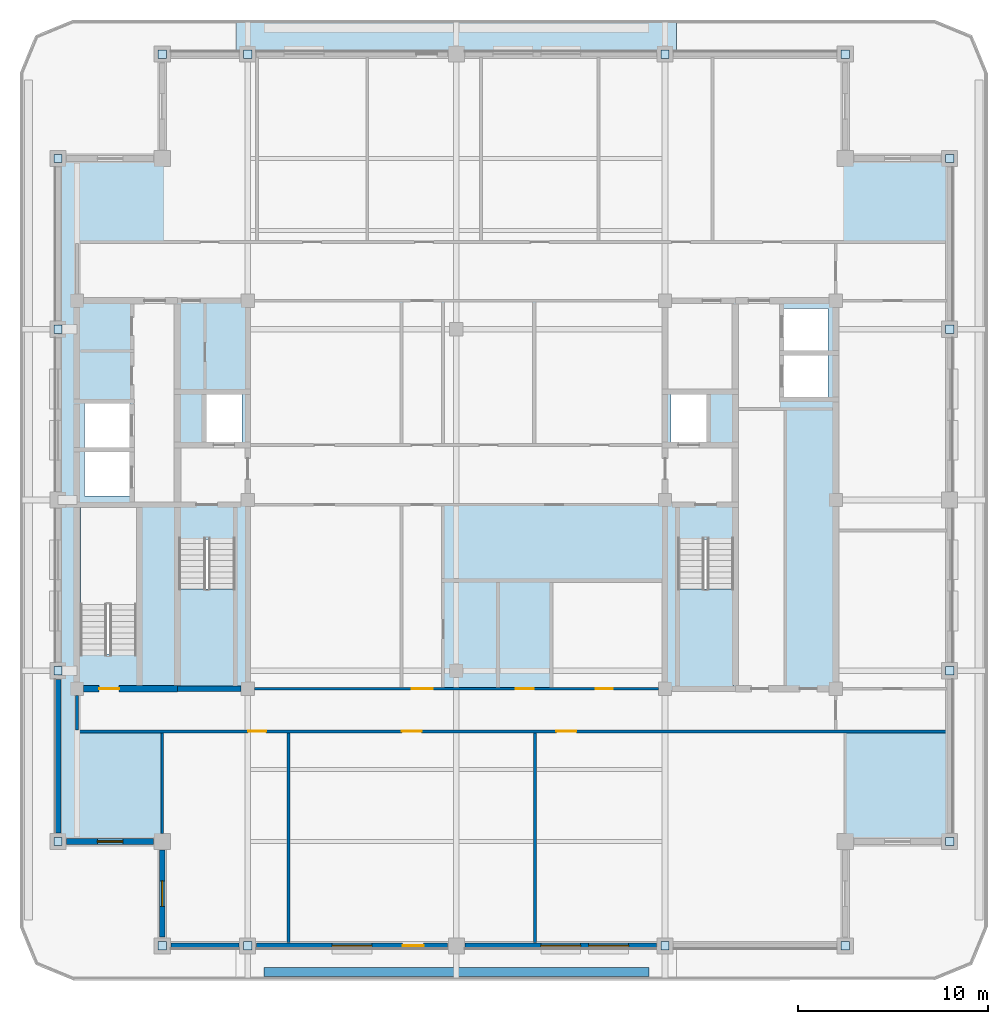
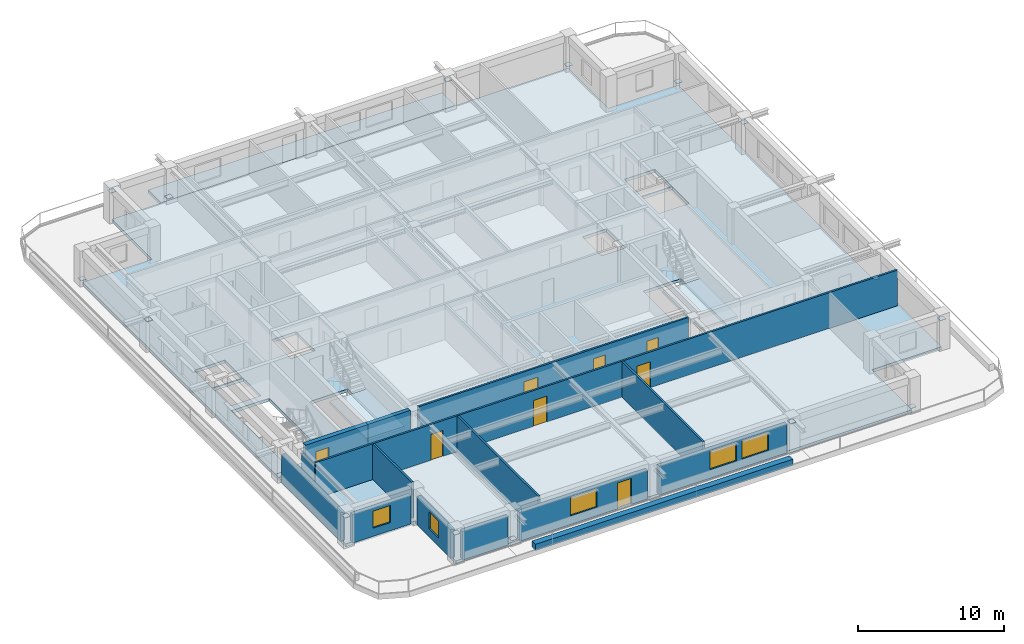
# One storey, part 2 of 11: 16 plates, 15 walls, 8 doors, 5 windows, 4 slabs, 13 openings, 2 elements without a shape of their own.
"""IFC4 building model written with IfcOpenShell, lengths in metres."""

from ifc_helpers import new_model, si_unit, direction, frame, frame_2d, origin, origin_2d, place, context, subcontext, project, spatial, polyline, rectangle, outline, extrude, material, layer, layer_set, type_object, element, fill, aggregate, save


model = new_model("IFC4")

# Units and contexts
model_context = context("Model", 3, precision=1e-05, world=origin(), true_north=direction((0.0, 1.0)))
body_context = subcontext(model_context, "Body", "Model", "MODEL_VIEW")
ifc_project = project(units=[si_unit("LENGTHUNIT", "METRE"), si_unit("AREAUNIT", "SQUARE_METRE"), si_unit("VOLUMEUNIT", "CUBIC_METRE"), si_unit("PLANEANGLEUNIT", "RADIAN"), si_unit("MASSUNIT", "GRAM", prefix="KILO")], contexts=[model_context])

# Site, building, storey
site_placement = place(None, origin())
site = spatial("IfcSite", under=ifc_project, at=site_placement, CompositionType="ELEMENT")
building_placement = place(site_placement, origin())
building = spatial("IfcBuilding", under=site, at=building_placement, Name="Zulmaris Gate Convention Tower", CompositionType="ELEMENT")
storey_placement = place(building_placement, frame((0.0, 0.0, 239.739990234375)))
storey = spatial("IfcBuildingStorey", under=building, at=storey_placement, Name="L63", CompositionType="ELEMENT", Elevation=239.739990234375)

# Plates
ifc_material_1 = material(Name="Steel S460", Category="steel")
ifc_layer_1 = layer(ifc_material_1, 0.02490234375, Name="Steel S460")
ifc_layer_set_1 = layer_set([ifc_layer_1], Name="Steel S460")
plate_type = type_object("IfcPlateType", Name="NP-CAP-440", PredefinedType="USERDEFINED", material=ifc_layer_set_1)
for number, where, z_axis, x_axis, name in (
    (1, (-21.0, -9.0, 0.28759765625), (0.0, 0.0, 1.0), (1.0, 0.0, 0.0), "L63 Steel Node Plate PBR-L63-SW-W-CAP"),
    (2, (-21.0, -18.0, 2.34765625), (0.0, 0.0, 1.0), (1.0, 0.0, 0.0), "L63 Steel Node Plate PBR-L63-SW-W-CAPB"),
    (3, (-21.0, 18.0, 0.28759765625), (0.0, 0.0, 1.0), (1.0, 0.0, 0.0), "L63 Steel Node Plate PBR-L63-NW-W-CAP"),
    (4, (-21.0, 9.0, 2.34765625), (0.0, 0.0, 1.0), (1.0, 0.0, 0.0), "L63 Steel Node Plate PBR-L63-NW-W-CAPB"),
    (5, (26.0, -9.0, 0.28759765625), (0.0, 0.0, 1.0), (1.0, 0.0, 0.0), "L63 Steel Node Plate PBR-L63-SE-E-CAP"),
    (6, (26.0, -18.0, 2.34765625), (0.0, 0.0, 1.0), (1.0, 0.0, 0.0), "L63 Steel Node Plate PBR-L63-SE-E-CAPB"),
    (7, (26.0, 18.0, 0.28759765625), (0.0, 0.0, 1.0), (1.0, 0.0, 0.0), "L63 Steel Node Plate PBR-L63-NE-E-CAP"),
    (8, (26.0, 9.0, 2.34765625), (0.0, 0.0, 1.0), (1.0, 0.0, 0.0), "L63 Steel Node Plate PBR-L63-NE-E-CAPB"),
    (9, (-11.0, -23.5, 0.28759765625), (0.0, 0.0, 1.0), (1.0, 0.0, 0.0), "L63 Steel Node Plate PBR-L63-SW-S-CAP"),
    (10, (-15.5, -23.5, 2.34765625), (0.0, 0.0, 1.0), (1.0, 0.0, 0.0), "L63 Steel Node Plate PBR-L63-SW-S-CAPB"),
    (11, (20.5, -23.5, 0.28759765625), (0.0, 0.0, 1.0), (1.0, 0.0, 0.0), "L63 Steel Node Plate PBR-L63-SE-S-CAP"),
    (12, (11.0, -23.5, 2.34765625), (0.0, 0.0, 1.0), (1.0, 0.0, 0.0), "L63 Steel Node Plate PBR-L63-SE-S-CAPB"),
    (13, (-11.0, 23.5, 0.28759765625), (0.0, 0.0, 1.0), (1.0, 0.0, 0.0), "L63 Steel Node Plate PBR-L63-NW-N-CAP"),
    (14, (-15.5, 23.5, 2.34765625), (0.0, 0.0, 1.0), (1.0, 0.0, 0.0), "L63 Steel Node Plate PBR-L63-NW-N-CAPB"),
    (15, (20.5, 23.5, 0.28759765625), (0.0, 0.0, 1.0), (1.0, 0.0, 0.0), "L63 Steel Node Plate PBR-L63-NE-N-CAP"),
    (16, (11.0, 23.5, 2.34765625), (0.0, 0.0, 1.0), (1.0, 0.0, 0.0), "L63 Steel Node Plate PBR-L63-NE-N-CAPB"),
):
    element("IfcPlate", number, at=place(storey_placement, frame(where, z_axis=z_axis, x_axis=x_axis)), inside=storey, type_object=plate_type, Name=name, ObjectType="FLANGE PLATE", PredefinedType="USERDEFINED", context=body_context, shape_type="SweptSolid", body=[
        extrude(rectangle(XDim=0.43994140625, YDim=0.43994140625, at=origin_2d()), origin(), (0.0, 0.0, 1.0), 0.02490234375),
    ])

# Slabs
ifc_material_2 = material(Name="Precast concrete C50/60", Category="concrete")
ifc_layer_2 = layer(ifc_material_2, 0.239990234375, Name="Precast concrete C50/60")
ifc_layer_set_2 = layer_set([ifc_layer_2], Name="Precast concrete C50/60")
slab_type_1 = type_object("IfcSlabType", Name="SL-BAL-240", PredefinedType="FLOOR", material=ifc_layer_set_2)
slab_1_placement = place(storey_placement, frame((0.0, 0.0, -0.25)))
element("IfcSlab", 17, at=slab_1_placement, inside=storey, type_object=slab_type_1, Name="L63 North Tree-Balcony Planter Slab", PredefinedType="FLOOR", context=body_context, shape_type="SweptSolid", body=[
    extrude(outline(polyline([(11.597900390625, 25.300048828125), (11.597900390625, 23.5), (-11.597900390625, 23.5), (-11.597900390625, 25.300048828125), (11.597900390625, 25.300048828125)])), origin(), (0.0, 0.0, 1.0), 0.239990234375),
])
ifc_material_3 = material(Name="Concrete C50/60", Category="concrete")
ifc_layer_3 = layer(ifc_material_3, 0.25, Name="Concrete C50/60")
ifc_layer_set_3 = layer_set([ifc_layer_3], Name="Concrete C50/60")
slab_type_2 = type_object("IfcSlabType", Name="SL-FLR-250", PredefinedType="FLOOR", material=ifc_layer_set_3)
slab_2_placement = place(storey_placement, frame((0.0, 0.0, -0.25)))
element("IfcSlab", 18, at=slab_2_placement, inside=storey, type_object=slab_type_2, Name="L63 Shifted Notched-Square Structural Floor Slab", PredefinedType="FLOOR", context=body_context, shape_type="SweptSolid", body=[
    extrude(outline(polyline([(-15.5, -23.5), (20.5, -23.5), (20.5, -18.0), (26.0, -18.0), (26.0, 18.0), (20.5, 18.0), (20.5, 23.5), (-15.5, 23.5), (-15.5, 18.0), (-21.0, 18.0), (-21.0, -18.0), (-15.5, -18.0), (-15.5, -23.5)]), holes=[polyline([(-14.6201171875, -2.080078125), (-14.6201171875, -9.85009765625), (-11.659912109375, -9.85009765625), (-11.659912109375, -2.080078125), (-14.6201171875, -2.080078125)]), polyline([(11.659912109375, -2.080078125), (11.659912109375, -9.85009765625), (14.6201171875, -9.85009765625), (14.6201171875, -2.080078125), (11.659912109375, -2.080078125)]), polyline([(-16.860107421875, -8.1201171875), (-16.860107421875, -0.35009765625), (-19.820068359375, -0.35009765625), (-19.820068359375, -8.1201171875), (-16.860107421875, -8.1201171875)]), polyline([(-13.199951171875, 3.0), (-11.300048828125, 3.0), (-11.300048828125, 5.60009765625), (-13.199951171875, 5.60009765625), (-13.199951171875, 3.0)]), polyline([(11.300048828125, 3.0), (13.199951171875, 3.0), (13.199951171875, 5.60009765625), (11.300048828125, 5.60009765625), (11.300048828125, 3.0)]), polyline([(17.199951171875, 5.39990234375), (19.60009765625, 5.39990234375), (19.60009765625, 7.699951171875), (17.199951171875, 7.699951171875), (17.199951171875, 5.39990234375)]), polyline([(17.199951171875, 7.800048828125), (19.60009765625, 7.800048828125), (19.60009765625, 10.10009765625), (17.199951171875, 10.10009765625), (17.199951171875, 7.800048828125)]), polyline([(-19.60009765625, 0.199951171875), (-17.199951171875, 0.199951171875), (-17.199951171875, 2.60009765625), (-19.60009765625, 2.60009765625), (-19.60009765625, 0.199951171875)]), polyline([(-19.60009765625, 2.699951171875), (-17.199951171875, 2.699951171875), (-17.199951171875, 5.10009765625), (-19.60009765625, 5.10009765625), (-19.60009765625, 2.699951171875)])]), origin(), (0.0, 0.0, 1.0), 0.25),
])

# Stair, slab
ifc_material_4 = material(Name="Concrete C45/55", Category="concrete")
stair_type = type_object("IfcStairType", Name="ST-CORE-DOGLEG", PredefinedType="HALF_TURN_STAIR", material=ifc_material_4)
stair_1_placement = place(storey_placement, origin())
stair_1 = element("IfcStair", 19, at=stair_1_placement, inside=storey, type_object=stair_type, Name="L63 Core Exit Stair ST-1", PredefinedType="HALF_TURN_STAIR")
ifc_layer_4 = layer(ifc_material_4, 0.199951171875, Name="Concrete C45/55")
ifc_layer_set_4 = layer_set([ifc_layer_4], Name="Concrete C45/55")
slab_type_3 = type_object("IfcSlabType", Name="SL-LND-200", PredefinedType="LANDING", material=ifc_layer_set_4)
slab_3_placement = place(storey_placement, frame((0.0, 0.0, 1.4150390625)))
slab_3 = element("IfcSlab", 20, at=slab_3_placement, type_object=slab_type_3, Name="ST-1 landing 1", PredefinedType="LANDING", context=body_context, shape_type="SweptSolid", body=[
    extrude(outline(polyline([(-14.6201171875, -4.699951171875), (-14.6201171875, -9.85009765625), (-11.659912109375, -9.85009765625), (-11.659912109375, -4.699951171875), (-14.6201171875, -4.699951171875)])), origin(), (0.0, 0.0, 1.0), 0.199951171875),
])
aggregate(stair_1, [slab_3])

stair_2_placement = place(storey_placement, origin())
stair_2 = element("IfcStair", 21, at=stair_2_placement, inside=storey, type_object=stair_type, Name="L63 Core Exit Stair ST-2", PredefinedType="HALF_TURN_STAIR")
slab_4_placement = place(storey_placement, frame((0.0, 0.0, 1.4150390625)))
slab_4 = element("IfcSlab", 22, at=slab_4_placement, type_object=slab_type_3, Name="ST-2 landing 1", PredefinedType="LANDING", context=body_context, shape_type="SweptSolid", body=[
    extrude(outline(polyline([(11.659912109375, -4.699951171875), (11.659912109375, -9.85009765625), (14.6201171875, -9.85009765625), (14.6201171875, -4.699951171875), (11.659912109375, -4.699951171875)])), origin(), (0.0, 0.0, 1.0), 0.199951171875),
])
aggregate(stair_2, [slab_4])

# Wall
ifc_layer_5 = layer(ifc_material_3, 0.300048828125, Name="Concrete C50/60")
ifc_layer_set_5 = layer_set([ifc_layer_5], Name="Concrete C50/60")
wall_type_1 = type_object("IfcWallType", Name="CORE-300", PredefinedType="SHEAR", material=ifc_layer_set_5)
wall_1_placement = place(storey_placement, frame((-14.699951171875, -9.949951171875, 0.0), z_axis=(0.0, 0.0, 1.0), x_axis=(1.0, 0.0, 0.0)))
element("IfcWall", 23, at=wall_1_placement, inside=storey, type_object=wall_type_1, Name="WL-L63-002", PredefinedType="SHEAR", context=body_context, shape_type="SweptSolid", body=[
    extrude(rectangle(XDim=3.345947265625, YDim=0.300048828125, at=frame_2d((1.6728515625, 0.0))), origin(), (0.0, 0.0, 1.0), 2.97998046875),
])

# Wall, opening, door
ifc_material_5 = material(Name="Concrete C55/67", Category="concrete")
ifc_layer_6 = layer(ifc_material_5, 0.35009765625, Name="Concrete C55/67")
ifc_layer_set_6 = layer_set([ifc_layer_6], Name="Concrete C55/67")
wall_type_2 = type_object("IfcWallType", Name="CORE-350", PredefinedType="SHEAR", material=ifc_layer_set_6)
wall_2_placement = place(storey_placement, frame((-19.64599609375, -9.949951171875, 0.0), z_axis=(0.0, 0.0, 1.0), x_axis=(1.0, 0.0, 0.0)))
wall_2 = element("IfcWall", 24, at=wall_2_placement, inside=storey, type_object=wall_type_2, Name="WL-L63-001", PredefinedType="SHEAR", context=body_context, shape_type="SweptSolid", body=[
    extrude(rectangle(XDim=4.946044921875, YDim=0.35009765625, at=frame_2d((2.47314453125, 0.0))), origin(), (0.0, 0.0, 1.0), 2.97998046875),
])
opening_1_placement = place(wall_2_placement, frame((0.821044921875, 0.0, 0.0)))
opening_1 = element("IfcOpeningElement", 25, at=opening_1_placement, cuts=wall_2, Name="Opening D-09", PredefinedType="OPENING", context=body_context, shape_type="SweptSolid", body=[
    extrude(rectangle(XDim=1.050048828125, YDim=2.14990234375, at=frame_2d((0.52490234375, 1.074951171875))), frame((0.0, 0.18505859375, 0.0), z_axis=(0.0, -1.0, 0.0), x_axis=(1.0, 0.0, 0.0)), (0.0, 0.0, 1.0), 0.3701171875),
])
ifc_material_6 = material(Name="Fire-Rated Steel", Category="steel")
door_type_1 = type_object("IfcDoorType", Name="DR-1050-FD", OperationType="NOTDEFINED", PredefinedType="DOOR", material=ifc_material_6)
door_1_placement = place(opening_1_placement, origin())
door_1 = element("IfcDoor", 26, at=door_1_placement, inside=storey, type_object=door_type_1, Name="L63 Exit Stair ST-3 Door 10", OperationType="SINGLE_SWING_LEFT", OverallHeight=2.14990234375, OverallWidth=1.050048828125, PredefinedType="DOOR", context=body_context, shape_type="SweptSolid", body=[
    extrude(rectangle(XDim=1.050048828125, YDim=2.14990234375, at=frame_2d((0.52490234375, 1.074951171875))), frame((0.0, 0.02490234375, 0.0), z_axis=(0.0, -1.0, 0.0), x_axis=(1.0, 0.0, 0.0)), (0.0, 0.0, 1.0), 0.050048828125),
])
fill(opening_1, door_1)

# Wall, openings, doors
ifc_material_7 = material(Name="Gypsum Metal Stud Partition")
ifc_layer_7 = layer(ifc_material_7, 0.14990234375, Name="Gypsum Metal Stud Partition")
ifc_layer_set_7 = layer_set([ifc_layer_7], Name="Gypsum Metal Stud Partition")
wall_type_3 = type_object("IfcWallType", Name="PART-150", PredefinedType="PARTITIONING", material=ifc_layer_set_7)
wall_3_placement = place(storey_placement, frame((-20.074951171875, -12.199951171875, 0.0), z_axis=(0.0, 0.0, 1.0), x_axis=(1.0, 0.0, 0.0)))
wall_3 = element("IfcWall", 27, at=wall_3_placement, inside=storey, type_object=wall_type_3, Name="WL-L63-019", PredefinedType="PARTITIONING", context=body_context, shape_type="SweptSolid", body=[
    extrude(rectangle(XDim=45.909912109375, YDim=0.14990234375, at=frame_2d((22.955078125, 0.0))), origin(), (0.0, 0.0, 1.0), 2.97998046875),
])
opening_2_placement = place(wall_3_placement, frame((9.10009765625, 0.0, 0.0)))
opening_2 = element("IfcOpeningElement", 28, at=opening_2_placement, cuts=wall_3, Name="Opening D-11", PredefinedType="OPENING", context=body_context, shape_type="SweptSolid", body=[
    extrude(rectangle(XDim=0.949951171875, YDim=2.14990234375, at=frame_2d((0.47509765625, 1.074951171875))), frame((0.0, 0.0849609375, 0.0), z_axis=(0.0, -1.0, 0.0), x_axis=(1.0, 0.0, 0.0)), (0.0, 0.0, 1.0), 0.169921875),
])
opening_3_placement = place(wall_3_placement, frame((17.199951171875, 0.0, 0.0)))
opening_3 = element("IfcOpeningElement", 29, at=opening_3_placement, cuts=wall_3, Name="Opening D-09", PredefinedType="OPENING", context=body_context, shape_type="SweptSolid", body=[
    extrude(rectangle(XDim=1.050048828125, YDim=2.14990234375, at=frame_2d((0.52490234375, 1.074951171875))), frame((0.0, 0.0849609375, 0.0), z_axis=(0.0, -1.0, 0.0), x_axis=(1.0, 0.0, 0.0)), (0.0, 0.0, 1.0), 0.169921875),
])
opening_4_placement = place(wall_3_placement, frame((25.35009765625, 0.0, 0.0)))
opening_4 = element("IfcOpeningElement", 30, at=opening_4_placement, cuts=wall_3, Name="Opening D-09", PredefinedType="OPENING", context=body_context, shape_type="SweptSolid", body=[
    extrude(rectangle(XDim=1.050048828125, YDim=2.14990234375, at=frame_2d((0.52490234375, 1.074951171875))), frame((0.0, 0.0849609375, 0.0), z_axis=(0.0, -1.0, 0.0), x_axis=(1.0, 0.0, 0.0)), (0.0, 0.0, 1.0), 0.169921875),
])
door_2_placement = place(opening_3_placement, origin())
door_2 = element("IfcDoor", 31, at=door_2_placement, inside=storey, type_object=door_type_1, Name="L63 Advisory Suite Office Door 32", OperationType="SINGLE_SWING_LEFT", OverallHeight=2.14990234375, OverallWidth=1.050048828125, PredefinedType="DOOR", context=body_context, shape_type="SweptSolid", body=[
    extrude(rectangle(XDim=1.050048828125, YDim=2.14990234375, at=frame_2d((0.52490234375, 1.074951171875))), frame((0.0, 0.02490234375, 0.0), z_axis=(0.0, -1.0, 0.0), x_axis=(1.0, 0.0, 0.0)), (0.0, 0.0, 1.0), 0.050048828125),
])
fill(opening_3, door_2)
door_3_placement = place(opening_4_placement, origin())
door_3 = element("IfcDoor", 32, at=door_3_placement, inside=storey, type_object=door_type_1, Name="L63 Open Plan Workplace Door 33", OperationType="SINGLE_SWING_RIGHT", OverallHeight=2.14990234375, OverallWidth=1.050048828125, PredefinedType="DOOR", context=body_context, shape_type="SweptSolid", body=[
    extrude(rectangle(XDim=1.050048828125, YDim=2.14990234375, at=frame_2d((0.52490234375, 1.074951171875))), frame((0.0, 0.02490234375, 0.0), z_axis=(0.0, -1.0, 0.0), x_axis=(1.0, 0.0, 0.0)), (0.0, 0.0, 1.0), 0.050048828125),
])
fill(opening_4, door_3)
ifc_material_8 = material(Name="Fire-Rated Timber", Category="wood")
door_type_2 = type_object("IfcDoorType", Name="DR-950-FD", OperationType="NOTDEFINED", PredefinedType="DOOR", material=ifc_material_8)
door_4_placement = place(opening_2_placement, origin())
door_4 = element("IfcDoor", 33, at=door_4_placement, inside=storey, type_object=door_type_2, Name="L63 Partner Corner Office Door 31", OperationType="SINGLE_SWING_RIGHT", OverallHeight=2.14990234375, OverallWidth=0.949951171875, PredefinedType="DOOR", context=body_context, shape_type="SweptSolid", body=[
    extrude(rectangle(XDim=0.949951171875, YDim=2.14990234375, at=frame_2d((0.47509765625, 1.074951171875))), frame((0.0, 0.02490234375, 0.0), z_axis=(0.0, -1.0, 0.0), x_axis=(1.0, 0.0, 0.0)), (0.0, 0.0, 1.0), 0.050048828125),
])
fill(opening_2, door_4)

wall_4_placement = place(storey_placement, frame((-10.64404296875, -9.949951171875, 0.0), z_axis=(0.0, 0.0, 1.0), x_axis=(1.0, 0.0, 0.0)))
wall_4 = element("IfcWall", 34, at=wall_4_placement, inside=storey, type_object=wall_type_3, Name="WL-L63-020", PredefinedType="PARTITIONING", context=body_context, shape_type="SweptSolid", body=[
    extrude(rectangle(XDim=21.2880859375, YDim=0.14990234375, at=frame_2d((10.64404296875, 0.0))), origin(), (0.0, 0.0, 1.0), 2.97998046875),
])
opening_5_placement = place(wall_4_placement, frame((8.2939453125, 0.0, 0.0)))
opening_5 = element("IfcOpeningElement", 35, at=opening_5_placement, cuts=wall_4, Name="Opening D-08", PredefinedType="OPENING", context=body_context, shape_type="SweptSolid", body=[
    extrude(rectangle(XDim=1.10009765625, YDim=2.14990234375, at=frame_2d((0.550048828125, 1.074951171875))), frame((0.0, 0.0849609375, 0.0), z_axis=(0.0, -1.0, 0.0), x_axis=(1.0, 0.0, 0.0)), (0.0, 0.0, 1.0), 0.169921875),
])
opening_6_placement = place(wall_4_placement, frame((13.76904296875, 0.0, 0.0)))
opening_6 = element("IfcOpeningElement", 36, at=opening_6_placement, cuts=wall_4, Name="Opening D-11", PredefinedType="OPENING", context=body_context, shape_type="SweptSolid", body=[
    extrude(rectangle(XDim=0.949951171875, YDim=2.14990234375, at=frame_2d((0.47509765625, 1.074951171875))), frame((0.0, 0.0849609375, 0.0), z_axis=(0.0, -1.0, 0.0), x_axis=(1.0, 0.0, 0.0)), (0.0, 0.0, 1.0), 0.169921875),
])
opening_7_placement = place(wall_4_placement, frame((17.993896484375, 0.0, 0.0)))
opening_7 = element("IfcOpeningElement", 37, at=opening_7_placement, cuts=wall_4, Name="Opening D-12", PredefinedType="OPENING", context=body_context, shape_type="SweptSolid", body=[
    extrude(rectangle(XDim=0.89990234375, YDim=2.14990234375, at=frame_2d((0.449951171875, 1.074951171875))), frame((0.0, 0.0849609375, 0.0), z_axis=(0.0, -1.0, 0.0), x_axis=(1.0, 0.0, 0.0)), (0.0, 0.0, 1.0), 0.169921875),
])
door_type_3 = type_object("IfcDoorType", Name="DR-1100-FD", OperationType="NOTDEFINED", PredefinedType="DOOR", material=ifc_material_6)
door_5_placement = place(opening_5_placement, origin())
door_5 = element("IfcDoor", 38, at=door_5_placement, inside=storey, type_object=door_type_3, Name="L63 Exec South Link Door 22", OperationType="SINGLE_SWING_LEFT", OverallHeight=2.14990234375, OverallWidth=1.10009765625, PredefinedType="DOOR", context=body_context, shape_type="SweptSolid", body=[
    extrude(rectangle(XDim=1.10009765625, YDim=2.14990234375, at=frame_2d((0.550048828125, 1.074951171875))), frame((0.0, 0.02490234375, 0.0), z_axis=(0.0, -1.0, 0.0), x_axis=(1.0, 0.0, 0.0)), (0.0, 0.0, 1.0), 0.050048828125),
])
fill(opening_5, door_5)
door_type_4 = type_object("IfcDoorType", Name="DR-900-FD", OperationType="NOTDEFINED", PredefinedType="DOOR", material=ifc_material_8)
door_6_placement = place(opening_7_placement, origin())
door_6 = element("IfcDoor", 39, at=door_6_placement, inside=storey, type_object=door_type_4, Name="L63 Reprographics Office Door 41", OperationType="SINGLE_SWING_RIGHT", OverallHeight=2.14990234375, OverallWidth=0.89990234375, PredefinedType="DOOR", context=body_context, shape_type="SweptSolid", body=[
    extrude(rectangle(XDim=0.89990234375, YDim=2.14990234375, at=frame_2d((0.449951171875, 1.074951171875))), frame((0.0, 0.02490234375, 0.0), z_axis=(0.0, -1.0, 0.0), x_axis=(1.0, 0.0, 0.0)), (0.0, 0.0, 1.0), 0.050048828125),
])
fill(opening_7, door_6)
door_7_placement = place(opening_6_placement, origin())
door_7 = element("IfcDoor", 40, at=door_7_placement, inside=storey, type_object=door_type_2, Name="L63 Accessible WC Door 40", OperationType="SINGLE_SWING_LEFT", OverallHeight=2.14990234375, OverallWidth=0.949951171875, PredefinedType="DOOR", context=body_context, shape_type="SweptSolid", body=[
    extrude(rectangle(XDim=0.949951171875, YDim=2.14990234375, at=frame_2d((0.47509765625, 1.074951171875))), frame((0.0, 0.02490234375, 0.0), z_axis=(0.0, -1.0, 0.0), x_axis=(1.0, 0.0, 0.0)), (0.0, 0.0, 1.0), 0.050048828125),
])
fill(opening_6, door_7)

# Walls
wall_5_placement = place(storey_placement, frame((-20.0, -12.1220703125, 0.0), z_axis=(0.0, 0.0, 1.0), x_axis=(0.0, 1.0, 0.0)))
element("IfcWall", 41, at=wall_5_placement, inside=storey, type_object=wall_type_3, Name="WL-L63-063", PredefinedType="PARTITIONING", context=body_context, shape_type="SweptSolid", body=[
    extrude(rectangle(XDim=1.816162109375, YDim=0.14990234375, at=frame_2d((0.908203125, 0.0))), origin(), (0.0, 0.0, 1.0), 2.570068359375),
])
wall_6_placement = place(storey_placement, frame((-15.5, -17.569091796875, 0.0), z_axis=(0.0, 0.0, 1.0), x_axis=(0.0, 1.0, 0.0)))
element("IfcWall", 42, at=wall_6_placement, inside=storey, type_object=wall_type_3, Name="WL-L63-067", PredefinedType="PARTITIONING", context=body_context, shape_type="SweptSolid", body=[
    extrude(rectangle(XDim=5.291015625, YDim=0.14990234375, at=frame_2d((2.6455078125, 0.0))), origin(), (0.0, 0.0, 1.0), 2.97998046875),
])
for number, where, z_axis, x_axis, name in (
    (43, (-8.85009765625, -23.3349609375, 0.0), (0.0, 0.0, 1.0), (0.0, 1.0, 0.0), "WL-L63-070"),
    (44, (4.14990234375, -23.3349609375, 0.0), (0.0, 0.0, 1.0), (0.0, 1.0, 0.0), "WL-L63-080"),
):
    element("IfcWall", number, at=place(storey_placement, frame(where, z_axis=z_axis, x_axis=x_axis)), inside=storey, type_object=wall_type_3, Name=name, PredefinedType="PARTITIONING", context=body_context, shape_type="SweptSolid", body=[
        extrude(rectangle(XDim=11.056884765625, YDim=0.14990234375, at=frame_2d((5.5283203125, 0.0))), origin(), (0.0, 0.0, 1.0), 2.97998046875),
    ])
ifc_material_9 = material(Name="Botanical Green Glazed Precast Concrete C40/50", Category="concrete")
ifc_layer_8 = layer(ifc_material_9, 0.419921875, Name="Botanical Green Glazed Precast Concrete C40/50")
ifc_layer_set_8 = layer_set([ifc_layer_8], Name="Botanical Green Glazed Precast Concrete C40/50")
wall_type_4 = type_object("IfcWallType", Name="PLANTER-CURB-200", PredefinedType="PARAPET", material=ifc_layer_set_8)
wall_7_placement = place(storey_placement, frame((-10.14990234375, -24.8798828125, -0.0400390625), z_axis=(0.0, 0.0, 1.0), x_axis=(1.0, 0.0, 0.0)))
element("IfcWall", 45, at=wall_7_placement, inside=storey, type_object=wall_type_4, Name="L63 Full-Length Balcony Tree Planter Trough", PredefinedType="PARAPET", context=body_context, shape_type="SweptSolid", body=[
    extrude(rectangle(XDim=20.2998046875, YDim=0.47998046875, at=frame_2d((10.14990234375, 0.0))), origin(), (0.0, 0.0, 1.0), 0.52001953125),
])

# Wall, opening, window
ifc_material_10 = material(Name="Precast concrete C40/50", Category="concrete")
ifc_layer_9 = layer(ifc_material_10, 0.300048828125, Name="Precast concrete C40/50")
ifc_layer_set_9 = layer_set([ifc_layer_9], Name="Precast concrete C40/50")
wall_type_5 = type_object("IfcWallType", Name="PRECAST-PIER-300", PredefinedType="STANDARD", material=ifc_layer_set_9)
wall_8_placement = place(storey_placement, frame((-20.544921875, -18.0, 0.0), z_axis=(0.0, 0.0, 1.0), x_axis=(1.0, 0.0, 0.0)))
wall_8 = element("IfcWall", 46, at=wall_8_placement, inside=storey, type_object=wall_type_5, Name="EW-L63-NOTCH-SW1_0", PredefinedType="STANDARD", context=body_context, shape_type="SweptSolid", body=[
    extrude(rectangle(XDim=4.58984375, YDim=0.300048828125, at=frame_2d((2.294921875, 0.0))), origin(), (0.0, 0.0, 1.0), 2.3720703125),
])
opening_8_placement = place(wall_8_placement, frame((1.6201171875, 0.0, 0.679931640625)))
opening_8 = element("IfcOpeningElement", 47, at=opening_8_placement, cuts=wall_8, Name="Opening W-10", PredefinedType="OPENING", context=body_context, shape_type="SweptSolid", body=[
    extrude(rectangle(XDim=1.35009765625, YDim=1.419921875, at=frame_2d((0.675048828125, 0.7099609375))), frame((0.0, 0.16015625, 0.0), z_axis=(0.0, -1.0, 0.0), x_axis=(1.0, 0.0, 0.0)), (0.0, 0.0, 1.0), 0.320068359375),
])
ifc_material_11 = material(Name="Low-E Laminated Double Glazing in Aluminium Frame", Category="aluminium")
window_type_1 = type_object("IfcWindowType", Name="WIN-1350x2000", PartitioningType="SINGLE_PANEL", PredefinedType="WINDOW", material=ifc_material_11)
window_1_placement = place(opening_8_placement, origin())
window_1 = element("IfcWindow", 48, at=window_1_placement, inside=storey, type_object=window_type_1, Name="WN-EW-L63-NOTCH-SW1_0", OverallHeight=1.419921875, OverallWidth=1.35009765625, PartitioningType="SINGLE_PANEL", PredefinedType="WINDOW", context=body_context, shape_type="SweptSolid", body=[
    extrude(rectangle(XDim=1.35009765625, YDim=1.419921875, at=frame_2d((0.675048828125, 0.7099609375))), frame((0.0, 0.030029296875, 0.0), z_axis=(0.0, -1.0, 0.0), x_axis=(1.0, 0.0, 0.0)), (0.0, 0.0, 1.0), 0.06005859375),
])
fill(opening_8, window_1)

wall_9_placement = place(storey_placement, frame((-15.5, -18.455078125, 0.0), z_axis=(0.0, 0.0, 1.0), x_axis=(0.0, -1.0, 0.0)))
wall_9 = element("IfcWall", 49, at=wall_9_placement, inside=storey, type_object=wall_type_5, Name="EW-L63-NOTCH-SW2_0", PredefinedType="STANDARD", context=body_context, shape_type="SweptSolid", body=[
    extrude(rectangle(XDim=4.58984375, YDim=0.300048828125, at=frame_2d((2.294921875, 0.0))), origin(), (0.0, 0.0, 1.0), 2.3720703125),
])
opening_9_placement = place(wall_9_placement, frame((1.6201171875, 0.0, 0.679931640625)))
opening_9 = element("IfcOpeningElement", 50, at=opening_9_placement, cuts=wall_9, Name="Opening W-10", PredefinedType="OPENING", context=body_context, shape_type="SweptSolid", body=[
    extrude(rectangle(XDim=1.35009765625, YDim=1.419921875, at=frame_2d((0.675048828125, 0.7099609375))), frame((0.0, 0.16015625, 0.0), z_axis=(0.0, -1.0, 0.0), x_axis=(1.0, 0.0, 0.0)), (0.0, 0.0, 1.0), 0.320068359375),
])
window_2_placement = place(opening_9_placement, origin())
window_2 = element("IfcWindow", 51, at=window_2_placement, inside=storey, type_object=window_type_1, Name="WN-EW-L63-NOTCH-SW2_0", OverallHeight=1.419921875, OverallWidth=1.35009765625, PartitioningType="SINGLE_PANEL", PredefinedType="WINDOW", context=body_context, shape_type="SweptSolid", body=[
    extrude(rectangle(XDim=1.35009765625, YDim=1.419921875, at=frame_2d((0.675048828125, 0.7099609375))), frame((0.0, 0.030029296875, 0.0), z_axis=(0.0, -1.0, 0.0), x_axis=(1.0, 0.0, 0.0)), (0.0, 0.0, 1.0), 0.06005859375),
])
fill(opening_9, window_2)

# Wall
wall_10_placement = place(storey_placement, frame((-15.044921875, -23.5, 0.0), z_axis=(0.0, 0.0, 1.0), x_axis=(1.0, 0.0, 0.0)))
element("IfcWall", 52, at=wall_10_placement, inside=storey, type_object=wall_type_5, Name="EW-L63-S-0_0", PredefinedType="STANDARD", context=body_context, shape_type="SweptSolid", body=[
    extrude(rectangle(XDim=3.58984375, YDim=0.300048828125, at=frame_2d((1.794921875, 0.0))), origin(), (0.0, 0.0, 1.0), 2.3720703125),
])

# Wall, openings, door, window
wall_11_placement = place(storey_placement, frame((-10.544921875, -23.5, 0.0), z_axis=(0.0, 0.0, 1.0), x_axis=(1.0, 0.0, 0.0)))
wall_11 = element("IfcWall", 53, at=wall_11_placement, inside=storey, type_object=wall_type_5, Name="EW-L63-S-1_0", PredefinedType="STANDARD", context=body_context, shape_type="SweptSolid", body=[
    extrude(rectangle(XDim=10.08984375, YDim=0.300048828125, at=frame_2d((5.044921875, 0.0))), origin(), (0.0, 0.0, 1.0), 2.3720703125),
])
opening_10_placement = place(wall_11_placement, frame((7.716064453125, 0.0, 0.0)))
opening_10 = element("IfcOpeningElement", 54, at=opening_10_placement, cuts=wall_11, Name="Opening D-04", PredefinedType="OPENING", context=body_context, shape_type="SweptSolid", body=[
    extrude(rectangle(XDim=1.10009765625, YDim=2.14990234375, at=frame_2d((0.550048828125, 1.074951171875))), frame((0.0, 0.16015625, 0.0), z_axis=(0.0, -1.0, 0.0), x_axis=(1.0, 0.0, 0.0)), (0.0, 0.0, 1.0), 0.320068359375),
])
opening_11_placement = place(wall_11_placement, frame((3.9951171875, 0.0, 0.699951171875)))
opening_11 = element("IfcOpeningElement", 55, at=opening_11_placement, cuts=wall_11, Name="Opening W-05", PredefinedType="OPENING", context=body_context, shape_type="SweptSolid", body=[
    extrude(rectangle(XDim=2.10009765625, YDim=1.5, at=frame_2d((1.050048828125, 0.75))), frame((0.0, 0.16015625, 0.0), z_axis=(0.0, -1.0, 0.0), x_axis=(1.0, 0.0, 0.0)), (0.0, 0.0, 1.0), 0.320068359375),
])
ifc_material_12 = material(Name="Anodised Aluminium and Laminated Glass", Category="aluminium")
door_type_5 = type_object("IfcDoorType", Name="ED-1100", OperationType="SINGLE_SWING_RIGHT", PredefinedType="DOOR", material=ifc_material_12)
door_8_placement = place(opening_10_placement, origin())
door_8 = element("IfcDoor", 56, at=door_8_placement, inside=storey, type_object=door_type_5, Name="L63 S Planted Terrace Door", OperationType="SINGLE_SWING_RIGHT", OverallHeight=2.14990234375, OverallWidth=1.10009765625, PredefinedType="DOOR", context=body_context, shape_type="SweptSolid", body=[
    extrude(rectangle(XDim=1.10009765625, YDim=2.14990234375, at=frame_2d((0.550048828125, 1.074951171875))), frame((0.0, 0.02490234375, 0.0), z_axis=(0.0, -1.0, 0.0), x_axis=(1.0, 0.0, 0.0)), (0.0, 0.0, 1.0), 0.050048828125),
])
fill(opening_10, door_8)
window_type_2 = type_object("IfcWindowType", Name="WIN-2100x2400", PartitioningType="SINGLE_PANEL", PredefinedType="WINDOW", material=ifc_material_11)
window_3_placement = place(opening_11_placement, origin())
window_3 = element("IfcWindow", 57, at=window_3_placement, inside=storey, type_object=window_type_2, Name="WN-EW-L63-S-1_0-2", OverallHeight=1.5, OverallWidth=2.10009765625, PartitioningType="SINGLE_PANEL", PredefinedType="WINDOW", context=body_context, shape_type="SweptSolid", body=[
    extrude(rectangle(XDim=2.10009765625, YDim=1.5, at=frame_2d((1.050048828125, 0.75))), frame((0.0, 0.030029296875, 0.0), z_axis=(0.0, -1.0, 0.0), x_axis=(1.0, 0.0, 0.0)), (0.0, 0.0, 1.0), 0.06005859375),
])
fill(opening_11, window_3)

# Wall, openings, windows
wall_12_placement = place(storey_placement, frame((0.455078125, -23.5, 0.0), z_axis=(0.0, 0.0, 1.0), x_axis=(1.0, 0.0, 0.0)))
wall_12 = element("IfcWall", 58, at=wall_12_placement, inside=storey, type_object=wall_type_5, Name="EW-L63-S-2_0", PredefinedType="STANDARD", context=body_context, shape_type="SweptSolid", body=[
    extrude(rectangle(XDim=10.08984375, YDim=0.300048828125, at=frame_2d((5.044921875, 0.0))), origin(), (0.0, 0.0, 1.0), 2.3720703125),
])
opening_12_placement = place(wall_12_placement, frame((3.9951171875, 0.0, 0.699951171875)))
opening_12 = element("IfcOpeningElement", 59, at=opening_12_placement, cuts=wall_12, Name="Opening W-05", PredefinedType="OPENING", context=body_context, shape_type="SweptSolid", body=[
    extrude(rectangle(XDim=2.10009765625, YDim=1.5, at=frame_2d((1.050048828125, 0.75))), frame((0.0, 0.16015625, 0.0), z_axis=(0.0, -1.0, 0.0), x_axis=(1.0, 0.0, 0.0)), (0.0, 0.0, 1.0), 0.320068359375),
])
opening_13_placement = place(wall_12_placement, frame((6.51806640625, 0.0, 0.699951171875)))
opening_13 = element("IfcOpeningElement", 60, at=opening_13_placement, cuts=wall_12, Name="Opening W-05", PredefinedType="OPENING", context=body_context, shape_type="SweptSolid", body=[
    extrude(rectangle(XDim=2.10009765625, YDim=1.5, at=frame_2d((1.050048828125, 0.75))), frame((0.0, 0.16015625, 0.0), z_axis=(0.0, -1.0, 0.0), x_axis=(1.0, 0.0, 0.0)), (0.0, 0.0, 1.0), 0.320068359375),
])
window_4_placement = place(opening_12_placement, origin())
window_4 = element("IfcWindow", 61, at=window_4_placement, inside=storey, type_object=window_type_2, Name="WN-EW-L63-S-2_0-2", OverallHeight=1.5, OverallWidth=2.10009765625, PartitioningType="SINGLE_PANEL", PredefinedType="WINDOW", context=body_context, shape_type="SweptSolid", body=[
    extrude(rectangle(XDim=2.10009765625, YDim=1.5, at=frame_2d((1.050048828125, 0.75))), frame((0.0, 0.030029296875, 0.0), z_axis=(0.0, -1.0, 0.0), x_axis=(1.0, 0.0, 0.0)), (0.0, 0.0, 1.0), 0.06005859375),
])
fill(opening_12, window_4)
window_5_placement = place(opening_13_placement, origin())
window_5 = element("IfcWindow", 62, at=window_5_placement, inside=storey, type_object=window_type_2, Name="WN-EW-L63-S-2_0-3", OverallHeight=1.5, OverallWidth=2.10009765625, PartitioningType="SINGLE_PANEL", PredefinedType="WINDOW", context=body_context, shape_type="SweptSolid", body=[
    extrude(rectangle(XDim=2.10009765625, YDim=1.5, at=frame_2d((1.050048828125, 0.75))), frame((0.0, 0.030029296875, 0.0), z_axis=(0.0, -1.0, 0.0), x_axis=(1.0, 0.0, 0.0)), (0.0, 0.0, 1.0), 0.06005859375),
])
fill(opening_13, window_5)

# Wall
wall_13_placement = place(storey_placement, frame((-21.0, -9.455078125, 0.0), z_axis=(0.0, 0.0, 1.0), x_axis=(0.0, -1.0, 0.0)))
element("IfcWall", 63, at=wall_13_placement, inside=storey, type_object=wall_type_5, Name="EW-L63-W-0_0", PredefinedType="STANDARD", context=body_context, shape_type="SweptSolid", body=[
    extrude(rectangle(XDim=8.08984375, YDim=0.300048828125, at=frame_2d((4.044921875, 0.0))), origin(), (0.0, 0.0, 1.0), 2.3720703125),
])

save(model, "model.ifc")
